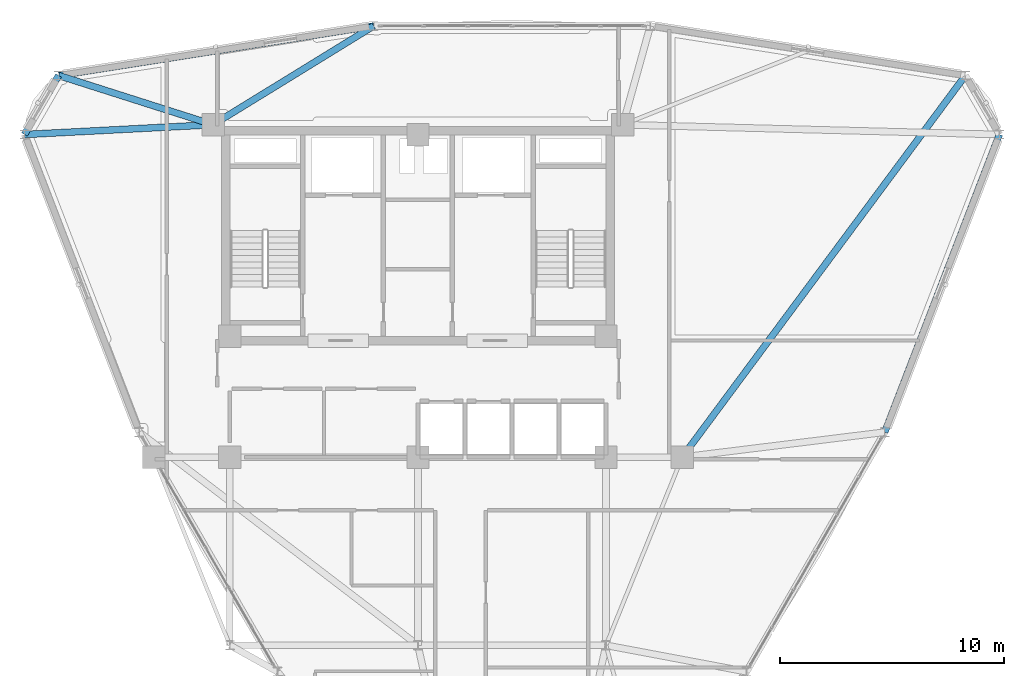
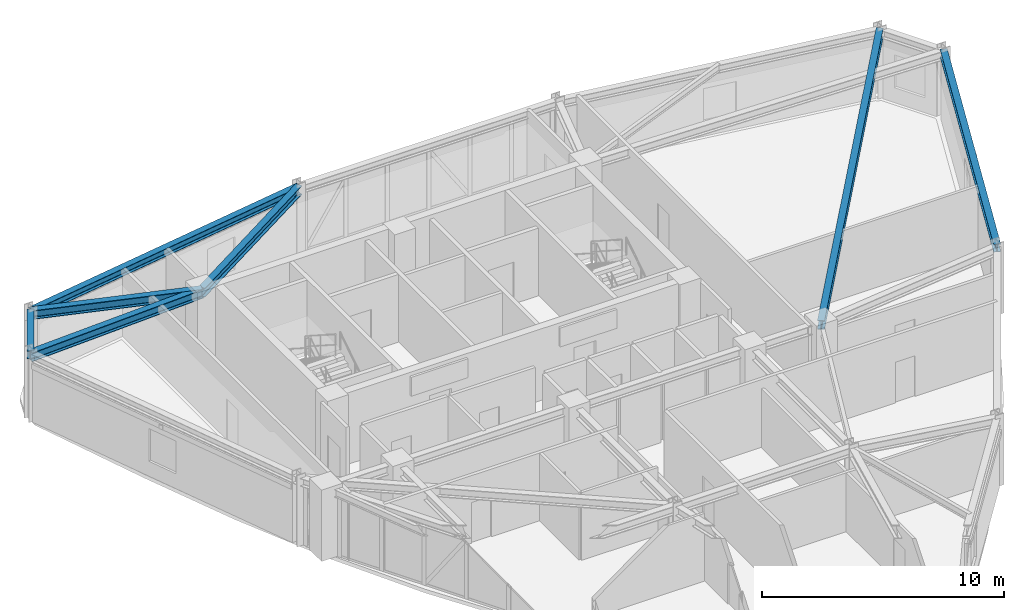
# One storey, part 7 of 18: 7 beams.
"""IFC4 building model written with IfcOpenShell, lengths in metres."""

from ifc_helpers import new_model, si_unit, derived_unit, direction, frame, origin, origin_2d, place, context, subcontext, project, spatial, i_section, extrude, source, transform, mapped, material, material_profile, profile_set, type_object, element, save


model = new_model("IFC4")

# Units and contexts
model_context = context("Model", 3, precision=1e-05, world=origin(), true_north=direction((0.0, 1.0)))
body_context = subcontext(model_context, "Body", "Model", "MODEL_VIEW")
ifc_project = project(units=[si_unit("LENGTHUNIT", "METRE"), si_unit("AREAUNIT", "SQUARE_METRE"), si_unit("VOLUMEUNIT", "CUBIC_METRE"), si_unit("PLANEANGLEUNIT", "RADIAN"), si_unit("MASSUNIT", "GRAM", prefix="KILO"), derived_unit("THERMALTRANSMITTANCEUNIT", [(si_unit("POWERUNIT", "WATT"), 1), (si_unit("LENGTHUNIT", "METRE"), -2), (si_unit("THERMODYNAMICTEMPERATUREUNIT", "KELVIN"), -1)])], contexts=[model_context])

# Site, building, storey
site_placement = place(None, origin())
site = spatial("IfcSite", under=ifc_project, at=site_placement, CompositionType="ELEMENT")
building_placement = place(site_placement, origin())
building = spatial("IfcBuilding", under=site, at=building_placement, Name="Korsvarv Bourse and Concert Hall", CompositionType="ELEMENT")
storey_placement = place(building_placement, frame((0.0, 0.0, 209.39990234375)))
storey = spatial("IfcBuildingStorey", under=building, at=storey_placement, Name="L54", CompositionType="ELEMENT", Elevation=209.39990234375)

# Beams
ifc_material = material(Name="Steel S355", Category="steel")
ifc_material_profile_1 = material_profile(ifc_material, i_section(OverallWidth=0.300048828125, OverallDepth=0.389892578125, WebThickness=0.010986328125, FlangeThickness=0.01904296875, FilletRadius=0.02099609375, at=origin_2d()), Name="HEA 400")
ifc_profile_set_1 = profile_set([ifc_material_profile_1], Name="Steel S355")
beam_type_1 = type_object("IfcBeamType", Name="BM-HEA400", PredefinedType="BEAM", material=ifc_profile_set_1)
shared_shape_1 = source(origin(), body_context, "Body", "SweptSolid", [
    extrude(i_section(OverallWidth=0.300048828125, OverallDepth=0.389892578125, WebThickness=0.010986328125, FlangeThickness=0.01904296875, FilletRadius=0.02099609375, at=origin_2d()), origin(), (0.0, 0.0, 1.0), 14.244384765625),
])
for number, where, z_axis, x_axis, name in (
    (1, (34.023193359375, 51.66162109375, 3.215087890625), (-0.987848421063, -0.15542038799, 0.0), (0.15542038799, -0.987848421063, 0.0), "L54 beam B-11"),
    (2, (56.851806640625, 33.518310546875, 3.215087890625), (0.359329353343, 0.93321080996, 0.0), (-0.93321080996, 0.359329353343, 0.0), "L54 beam B-11"),
):
    element("IfcBeam", number, at=place(storey_placement, frame(where, z_axis=z_axis, x_axis=x_axis)), inside=storey, type_object=beam_type_1, Name=name, PredefinedType="BEAM", context=body_context, shape_type="MappedRepresentation", body=[
        mapped(shared_shape_1, transform((0.0, 0.0, 0.0), scale=1.0)),
    ])
shared_shape_2 = source(origin(), body_context, "Body", "SweptSolid", [
    extrude(i_section(OverallWidth=0.300048828125, OverallDepth=0.389892578125, WebThickness=0.010986328125, FlangeThickness=0.01904296875, FilletRadius=0.02099609375, at=origin_2d()), origin(), (0.0, 0.0, 1.0), 3.044189453125),
])
beam_1_placement = place(storey_placement, frame((19.951904296875, 49.44775390625, 3.215087890625), z_axis=(-0.499951546443, -0.866053376651, 0.0), x_axis=(0.866053376651, -0.499951546443, 0.0)))
element("IfcBeam", 3, at=beam_1_placement, inside=storey, type_object=beam_type_1, Name="L54 beam B-11", PredefinedType="BEAM", context=body_context, shape_type="MappedRepresentation", body=[
    mapped(shared_shape_2, transform((0.0, 0.0, 0.0), scale=1.0)),
])
ifc_material_profile_2 = material_profile(ifc_material, i_section(OverallWidth=0.300048828125, OverallDepth=0.449951171875, WebThickness=0.013916015625, FlangeThickness=0.02587890625, FilletRadius=0.02099609375, at=origin_2d()), Name="HEB 450")
ifc_profile_set_2 = profile_set([ifc_material_profile_2], Name="Steel S355")
beam_type_2 = type_object("IfcBeamType", Name="BM-HEB450", PredefinedType="SPANDREL", material=ifc_profile_set_2)
shared_shape_3 = source(origin(), body_context, "Body", "SweptSolid", [
    extrude(i_section(OverallWidth=0.300048828125, OverallDepth=0.449951171875, WebThickness=0.013916015625, FlangeThickness=0.02587890625, FilletRadius=0.02099609375, at=origin_2d()), origin(), (0.0, 0.0, 1.0), 21.227294921875),
])
beam_2_placement = place(storey_placement, frame((60.447998046875, 49.44775390625, 3.18505859375), z_axis=(-0.595833045411, -0.803108325194, 0.0), x_axis=(0.803108325194, -0.595833045411, 0.0)))
element("IfcBeam", 4, at=beam_2_placement, inside=storey, type_object=beam_type_2, Name="L54 beam B-08", PredefinedType="SPANDREL", context=body_context, shape_type="MappedRepresentation", body=[
    mapped(shared_shape_3, transform((0.0, 0.0, 0.0), scale=1.0)),
])
shared_shape_4 = source(origin(), body_context, "Body", "SweptSolid", [
    extrude(i_section(OverallWidth=0.300048828125, OverallDepth=0.449951171875, WebThickness=0.013916015625, FlangeThickness=0.02587890625, FilletRadius=0.02099609375, at=origin_2d()), origin(), (0.0, 0.0, 1.0), 8.421142578125),
])
beam_3_placement = place(storey_placement, frame((34.023193359375, 51.66162109375, 3.18505859375), z_axis=(-0.85179565432, -0.5238741865, 0.0), x_axis=(0.5238741865, -0.85179565432, 0.0)))
element("IfcBeam", 5, at=beam_3_placement, inside=storey, type_object=beam_type_2, Name="L54 beam B-08", PredefinedType="SPANDREL", context=body_context, shape_type="MappedRepresentation", body=[
    mapped(shared_shape_4, transform((0.0, 0.0, 0.0), scale=1.0)),
])
shared_shape_5 = source(origin(), body_context, "Body", "SweptSolid", [
    extrude(i_section(OverallWidth=0.300048828125, OverallDepth=0.449951171875, WebThickness=0.013916015625, FlangeThickness=0.02587890625, FilletRadius=0.02099609375, at=origin_2d()), origin(), (0.0, 0.0, 1.0), 7.23974609375),
])
beam_4_placement = place(storey_placement, frame((19.951904296875, 49.44775390625, 3.18505859375), z_axis=(0.952811006902, -0.303564136759, 0.0), x_axis=(0.303564136759, 0.952811006902, 0.0)))
element("IfcBeam", 6, at=beam_4_placement, inside=storey, type_object=beam_type_2, Name="L54 beam B-08", PredefinedType="SPANDREL", context=body_context, shape_type="MappedRepresentation", body=[
    mapped(shared_shape_5, transform((0.0, 0.0, 0.0), scale=1.0)),
])
shared_shape_6 = source(origin(), body_context, "Body", "SweptSolid", [
    extrude(i_section(OverallWidth=0.300048828125, OverallDepth=0.449951171875, WebThickness=0.013916015625, FlangeThickness=0.02587890625, FilletRadius=0.02099609375, at=origin_2d()), origin(), (0.0, 0.0, 1.0), 8.431640625),
])
beam_5_placement = place(storey_placement, frame((18.429931640625, 46.811279296875, 3.18505859375), z_axis=(0.998645366563, 0.052032988017, 0.0), x_axis=(-0.052032988017, 0.998645366563, 0.0)))
element("IfcBeam", 7, at=beam_5_placement, inside=storey, type_object=beam_type_2, Name="L54 beam B-08", PredefinedType="SPANDREL", context=body_context, shape_type="MappedRepresentation", body=[
    mapped(shared_shape_6, transform((0.0, 0.0, 0.0), scale=1.0)),
])

save(model, "model.ifc")
